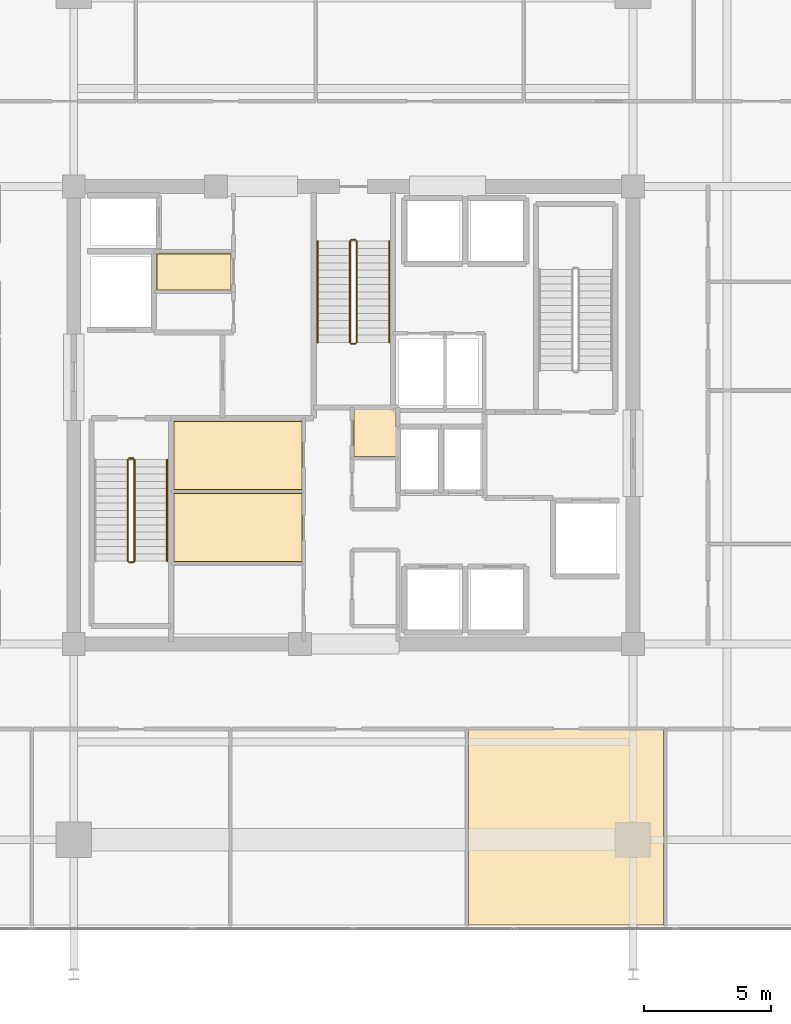
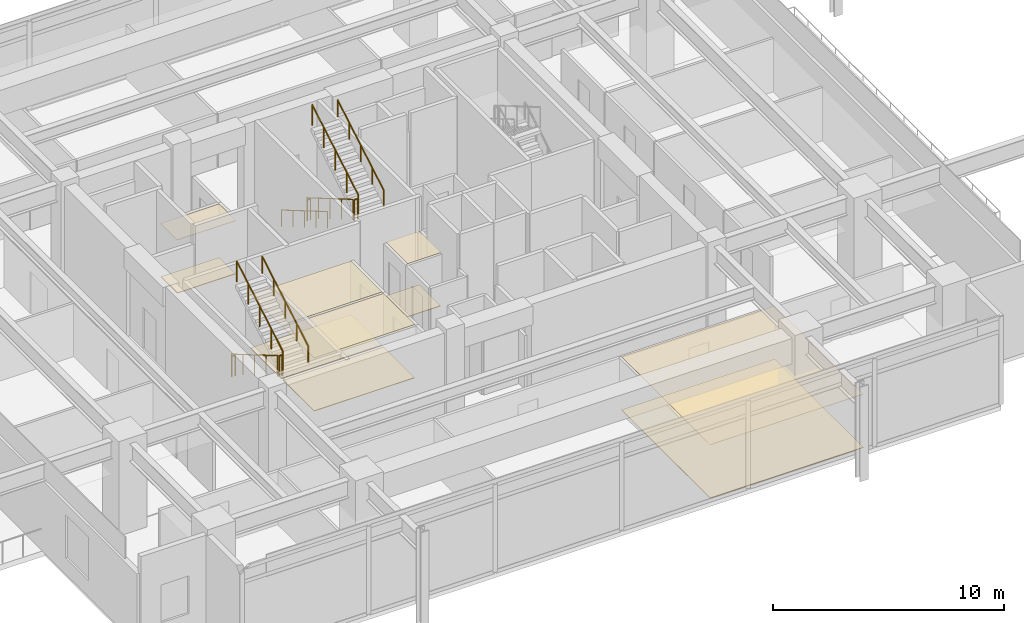
# One storey, part 17 of 19: 11 railings, 10 coverings.
"""IFC4 building model written with IfcOpenShell, lengths in metres."""

import ifcopenshell
import ifcopenshell.guid

model = None  # the IFC model being written
_history = None  # IfcOwnerHistory: only IFC2X3 demands one
_inside = {}  # id of a spatial element -> (the spatial element, [elements in it])
_under = {}  # id of a project, library or spatial element -> (it, [spatial elements below it])
_declared = {}  # id of a project -> (the project, [libraries it declares])
_typed = {}  # id of a type object -> (the type object, [elements of that type])
_made_of = {}  # id of a material, layer set ... -> (it, [elements and type objects made of it])


def new_model(schema):
    """Start an empty IFC model of exactly this schema.

    Asked for "IFC4X3", IfcOpenShell would pick the latest addendum, in which some entities
    have other attributes; the version numbers below select the first issue.
    IFC2X3 requires an IfcOwnerHistory on every rooted entity: one is made here for all.
    """
    global model, _history
    if schema == "IFC4X3":
        model = ifcopenshell.file(schema_version=(4, 3, 0, 0))
    else:
        model = ifcopenshell.file(schema=schema)
    _inside.clear()
    _under.clear()
    _declared.clear()
    _typed.clear()
    _made_of.clear()
    _history = None
    if model.schema == "IFC2X3":
        org = make("IfcOrganization", Name="unknown")
        user = make(
            "IfcPersonAndOrganization",
            ThePerson=make("IfcPerson", FamilyName="unknown"),
            TheOrganization=org,
        )
        app = make(
            "IfcApplication",
            ApplicationDeveloper=org,
            Version="unknown",
            ApplicationFullName="unknown",
            ApplicationIdentifier="unknown",
        )
        _history = make(
            "IfcOwnerHistory",
            OwningUser=user,
            OwningApplication=app,
            ChangeAction="ADDED",
            CreationDate=0,
        )
    return model


def make(cls, **values):
    """One entity of the class cls with the attributes given. An attribute that is None is left unset."""
    return model.create_entity(
        cls, **{name: value for name, value in values.items() if value is not None}
    )


def rooted(cls, **values):
    """An entity with a GlobalId (a new one), such as an element, a storey or a relation."""
    return make(cls, GlobalId=ifcopenshell.guid.new(), OwnerHistory=_history, **values)


def si_unit(unit_type, name, prefix=None):
    """IfcSIUnit, for example si_unit("LENGTHUNIT", "METRE", prefix="MILLI")."""
    return make("IfcSIUnit", UnitType=unit_type, Prefix=prefix, Name=name)


def assignment(units):
    """IfcUnitAssignment: the units of a project."""
    return None if units is None else make("IfcUnitAssignment", Units=units)


def point(xyz):
    """IfcCartesianPoint."""
    return None if xyz is None else make("IfcCartesianPoint", Coordinates=xyz)


def direction(xyz):
    """IfcDirection."""
    return None if xyz is None else make("IfcDirection", DirectionRatios=xyz)


def frame(location, z_axis=None, x_axis=None):
    """IfcAxis2Placement3D, a coordinate frame: its origin and axes. An axis left out is left unset."""
    return make(
        "IfcAxis2Placement3D",
        Location=point(location),
        Axis=direction(z_axis),
        RefDirection=direction(x_axis),
    )


def frame_2d(location, x_axis=None):
    """IfcAxis2Placement2D, a coordinate frame in the plane: its origin and x axis."""
    return make(
        "IfcAxis2Placement2D", Location=point(location), RefDirection=direction(x_axis)
    )


def origin():
    """The frame at (0, 0, 0) with its axes left unset."""
    return frame((0.0, 0.0, 0.0))


def origin_2d():
    """The frame at (0, 0) in the plane with its x axis left unset."""
    return frame_2d((0.0, 0.0))


def place(relative_to, where):
    """IfcLocalPlacement: puts the frame where relative to a parent placement (None: the world)."""
    return make(
        "IfcLocalPlacement", PlacementRelTo=relative_to, RelativePlacement=where
    )


def context(
    kind, dimensions, precision=None, world=None, true_north=None, identifier=None
):
    """IfcGeometricRepresentationContext, for example the 3D "Model" context."""
    return make(
        "IfcGeometricRepresentationContext",
        ContextIdentifier=identifier,
        ContextType=kind,
        CoordinateSpaceDimension=dimensions,
        Precision=precision,
        WorldCoordinateSystem=world,
        TrueNorth=true_north,
    )


def subcontext(parent, identifier, kind, view, scale=None):
    """IfcGeometricRepresentationSubContext, for example "Body" below "Model"."""
    return make(
        "IfcGeometricRepresentationSubContext",
        ContextIdentifier=identifier,
        ContextType=kind,
        ParentContext=parent,
        TargetScale=scale,
        TargetView=view,
    )


def project(units=None, contexts=None):
    """IfcProject with its units and contexts."""
    return rooted(
        "IfcProject",
        Name="project",
        RepresentationContexts=contexts,
        UnitsInContext=assignment(units),
    )


def spatial(cls, under=None, at=None, **own):
    """A site, building, storey or space (cls), placed at a placement, below another one or the project."""
    s = rooted(cls, ObjectPlacement=at, **own)
    if under is not None:
        _under.setdefault(under.id(), (under, []))[1].append(s)
    return s


def polyline(points):
    """IfcPolyline through the points."""
    return make("IfcPolyline", Points=[point(p) for p in points])


def profile(cls, at=None, kind="AREA", **sizes):
    """A parametric profile (cls). Its sizes go by their IFC names, for example OverallWidth=200.0."""
    return make(cls, ProfileType=kind, Position=at, **sizes)


def circle(**sizes):
    """IfcCircleProfileDef."""
    return profile("IfcCircleProfileDef", **sizes)


def outline(outer, holes=None, kind="AREA"):
    """IfcArbitraryClosedProfileDef: a profile drawn as a closed curve; with holes, ...WithVoids."""
    if holes is None:
        return make("IfcArbitraryClosedProfileDef", ProfileType=kind, OuterCurve=outer)
    return make(
        "IfcArbitraryProfileDefWithVoids",
        ProfileType=kind,
        OuterCurve=outer,
        InnerCurves=holes,
    )


def extrude(swept, where, along, depth):
    """IfcExtrudedAreaSolid: the profile swept, set in the frame where, extruded along a direction by depth."""
    return make(
        "IfcExtrudedAreaSolid",
        SweptArea=swept,
        Position=where,
        ExtrudedDirection=direction(along),
        Depth=depth,
    )


def shape(context_of_items, identifier, shape_type, items):
    """IfcShapeRepresentation: the items that make up one representation, for example the "Body"."""
    return make(
        "IfcShapeRepresentation",
        ContextOfItems=context_of_items,
        RepresentationIdentifier=identifier,
        RepresentationType=shape_type,
        Items=items,
    )


def material(Name=None, Category=None):
    """IfcMaterial."""
    return make("IfcMaterial", Name=Name, Category=Category)


def layer(
    of_material, thickness, ventilated=None, Name=None, Category=None, Priority=None
):
    """IfcMaterialLayer: one layer of a wall or slab, of a material (None: an air gap)."""
    return make(
        "IfcMaterialLayer",
        Material=of_material,
        LayerThickness=thickness,
        IsVentilated=ventilated,
        Name=Name,
        Category=Category,
        Priority=Priority,
    )


def layer_set(layers, Name=None):
    """IfcMaterialLayerSet."""
    return make("IfcMaterialLayerSet", MaterialLayers=layers, LayerSetName=Name)


def made_of(thing, what):
    """Note that an element or type object is made of a material, layer set ...; save() writes the relation."""
    if what is not None:
        _made_of.setdefault(what.id(), (what, []))[1].append(thing)
    return thing


def type_object(cls, material=None, **own):
    """A type object (cls), such as IfcWallType, which elements share."""
    return made_of(rooted(cls, **own), material)


def element(
    cls,
    number,
    at=None,
    inside=None,
    cuts=None,
    type_object=None,
    material=None,
    context=None,
    identifier="Body",
    shape_type=None,
    held_by="IfcProductDefinitionShape",
    body=None,
    shapes=None,
    **own,
):
    """One element of the class cls, such as IfcWall. Its Tag is "e" and its number.

    at: its placement. inside: the storey or other place that contains it. cuts: it is an
    opening in that element (IfcRelVoidsElement). A single representation is given by context,
    identifier, shape_type and body (its items); several are given by shapes. held_by: the class
    of the entity that holds the representations. save() writes the other relations.
    """
    e = rooted(cls, Tag="e%d" % number, ObjectPlacement=at, **own)
    if body is not None:
        shapes = [shape(context, identifier, shape_type, body)]
    if shapes is not None:
        e.Representation = make(held_by, Representations=shapes)
    if inside is not None:
        _inside.setdefault(inside.id(), (inside, []))[1].append(e)
    if cuts is not None:
        rooted(
            "IfcRelVoidsElement", RelatingBuildingElement=cuts, RelatedOpeningElement=e
        )
    if type_object is not None:
        _typed.setdefault(type_object.id(), (type_object, []))[1].append(e)
    return made_of(e, material)


def aggregate(whole, parts):
    """IfcRelAggregates: a whole, such as a stair, and the parts it consists of."""
    return rooted("IfcRelAggregates", RelatingObject=whole, RelatedObjects=parts)


def save(model, path):
    """Write the relations noted so far, then the file.

    IfcRelAggregates (storeys below a building ...), IfcRelContainedInSpatialStructure (elements
    in a storey), IfcRelDefinesByType, IfcRelAssociatesMaterial and IfcRelDeclares: one each for
    every whole, place, type object, material and project.
    """
    for whole, parts in _under.values():
        aggregate(whole, parts)
    for where, things in _inside.values():
        rooted(
            "IfcRelContainedInSpatialStructure",
            RelatedElements=things,
            RelatingStructure=where,
        )
    for kind, things in _typed.values():
        rooted("IfcRelDefinesByType", RelatedObjects=things, RelatingType=kind)
    for what, things in _made_of.values():
        rooted("IfcRelAssociatesMaterial", RelatedObjects=things, RelatingMaterial=what)
    for by, libraries in _declared.values():
        rooted("IfcRelDeclares", RelatingContext=by, RelatedDefinitions=libraries)
    model.write(path)


model = new_model("IFC4")

# Units and contexts
model_context = context("Model", 3, precision=1e-05, world=origin(), true_north=direction((0.0, 1.0)))
body_context = subcontext(model_context, "Body", "Model", "MODEL_VIEW")
ifc_project = project(units=[si_unit("LENGTHUNIT", "METRE"), si_unit("AREAUNIT", "SQUARE_METRE"), si_unit("VOLUMEUNIT", "CUBIC_METRE"), si_unit("PLANEANGLEUNIT", "RADIAN"), si_unit("MASSUNIT", "GRAM", prefix="KILO")], contexts=[model_context])

# Site, building, storey
site_placement = place(None, origin())
site = spatial("IfcSite", under=ifc_project, at=site_placement, CompositionType="ELEMENT")
building_placement = place(site_placement, origin())
building = spatial("IfcBuilding", under=site, at=building_placement, Name="Kovane Verandah Tower", CompositionType="ELEMENT")
storey_placement = place(building_placement, frame((0.0, 0.0, 184.39990234375)))
storey = spatial("IfcBuildingStorey", under=building, at=storey_placement, Name="L43", CompositionType="ELEMENT", Elevation=184.39990234375)

# Coverings
ifc_material_1 = material(Name="Perforated Acoustic Mineral-Fibre Ceiling Tile", Category="gypsum")
ifc_layer_1 = layer(ifc_material_1, 0.02490234375)
ifc_layer_set_1 = layer_set([ifc_layer_1], Name="Perforated Acoustic Mineral-Fibre Ceiling Tile")
covering_type_1 = type_object("IfcCoveringType", Name="CV-CEIL-25", PredefinedType="CEILING", material=ifc_layer_set_1)
covering_1_placement = place(storey_placement, frame((0.0, 0.0, 2.8251953125)))
element("IfcCovering", 1, at=covering_1_placement, inside=storey, type_object=covering_type_1, Name="L43 First Aid and Wellness Room Acoustic Ceiling", PredefinedType="CEILING", context=body_context, shape_type="SweptSolid", body=[
    extrude(outline(polyline([(32.93505859375, 21.72509765625), (37.9951171875, 21.72509765625), (37.9951171875, 24.43505859375), (32.93505859375, 24.43505859375), (32.93505859375, 21.72509765625)])), origin(), (0.0, 0.0, 1.0), 0.02490234375),
])
covering_2_placement = place(storey_placement, frame((0.0, 0.0, 2.8251953125)))
element("IfcCovering", 2, at=covering_2_placement, inside=storey, type_object=covering_type_1, Name="L43 Tea and Copy Hub Acoustic Ceiling", PredefinedType="CEILING", context=body_context, shape_type="SweptSolid", body=[
    extrude(outline(polyline([(32.93505859375, 24.56494140625), (37.9951171875, 24.56494140625), (37.9951171875, 27.264892578125), (32.93505859375, 27.264892578125), (32.93505859375, 24.56494140625)])), origin(), (0.0, 0.0, 1.0), 0.02490234375),
])
covering_3_placement = place(storey_placement, frame((0.0, 0.0, 2.8251953125)))
element("IfcCovering", 3, at=covering_3_placement, inside=storey, type_object=covering_type_1, Name="L43 North-West First Aid Room Acoustic Ceiling", PredefinedType="CEILING", context=body_context, shape_type="SweptSolid", body=[
    extrude(outline(polyline([(32.264892578125, 32.4150390625), (35.195068359375, 32.4150390625), (35.195068359375, 33.864990234375), (32.264892578125, 33.864990234375), (32.264892578125, 32.4150390625)])), origin(), (0.0, 0.0, 1.0), 0.02490234375),
])
covering_4_placement = place(storey_placement, frame((0.0, 0.0, 2.8251953125)))
element("IfcCovering", 4, at=covering_4_placement, inside=storey, type_object=covering_type_1, Name="L43 Central First Aid and Wellness Room Acoustic Ceiling", PredefinedType="CEILING", context=body_context, shape_type="SweptSolid", body=[
    extrude(outline(polyline([(40.0048828125, 25.864990234375), (41.695068359375, 25.864990234375), (41.695068359375, 27.735107421875), (40.0048828125, 27.735107421875), (40.0048828125, 25.864990234375)])), origin(), (0.0, 0.0, 1.0), 0.02490234375),
])
covering_5_placement = place(storey_placement, frame((0.0, 0.0, 2.8251953125)))
element("IfcCovering", 5, at=covering_5_placement, inside=storey, type_object=covering_type_1, Name="L43 Collaboration Hub S4 Acoustic Ceiling", PredefinedType="CEILING", context=body_context, shape_type="SweptSolid", body=[
    extrude(outline(polyline([(44.533935546875, 7.449951171875), (52.2060546875, 7.449951171875), (52.2060546875, 15.14990234375), (44.533935546875, 15.14990234375), (44.533935546875, 7.449951171875)])), origin(), (0.0, 0.0, 1.0), 0.02490234375),
])
ifc_material_2 = material(Name="Polished Terrazzo and Raised-Access Carpet Tile Finish", Category="concrete")
ifc_layer_2 = layer(ifc_material_2, 0.030029296875)
ifc_layer_set_2 = layer_set([ifc_layer_2], Name="Polished Terrazzo and Raised-Access Carpet Tile Finish")
covering_type_2 = type_object("IfcCoveringType", Name="CV-FLOR-30", PredefinedType="FLOORING", material=ifc_layer_set_2)
covering_6_placement = place(storey_placement, origin())
element("IfcCovering", 6, at=covering_6_placement, inside=storey, type_object=covering_type_2, Name="L43 First Aid and Wellness Room Floor Finish", PredefinedType="FLOORING", context=body_context, shape_type="SweptSolid", body=[
    extrude(outline(polyline([(32.949951171875, 21.739990234375), (37.97998046875, 21.739990234375), (37.97998046875, 24.419921875), (32.949951171875, 24.419921875), (32.949951171875, 21.739990234375)])), origin(), (0.0, 0.0, 1.0), 0.030029296875),
])
covering_7_placement = place(storey_placement, origin())
element("IfcCovering", 7, at=covering_7_placement, inside=storey, type_object=covering_type_2, Name="L43 Tea and Copy Hub Floor Finish", PredefinedType="FLOORING", context=body_context, shape_type="SweptSolid", body=[
    extrude(outline(polyline([(32.949951171875, 24.580078125), (37.97998046875, 24.580078125), (37.97998046875, 27.25), (32.949951171875, 27.25), (32.949951171875, 24.580078125)])), origin(), (0.0, 0.0, 1.0), 0.030029296875),
])
covering_8_placement = place(storey_placement, origin())
element("IfcCovering", 8, at=covering_8_placement, inside=storey, type_object=covering_type_2, Name="L43 North-West First Aid Room Floor Finish", PredefinedType="FLOORING", context=body_context, shape_type="SweptSolid", body=[
    extrude(outline(polyline([(32.280029296875, 32.429931640625), (35.179931640625, 32.429931640625), (35.179931640625, 33.85009765625), (32.280029296875, 33.85009765625), (32.280029296875, 32.429931640625)])), origin(), (0.0, 0.0, 1.0), 0.030029296875),
])
covering_9_placement = place(storey_placement, origin())
element("IfcCovering", 9, at=covering_9_placement, inside=storey, type_object=covering_type_2, Name="L43 Central First Aid and Wellness Room Floor Finish", PredefinedType="FLOORING", context=body_context, shape_type="SweptSolid", body=[
    extrude(outline(polyline([(40.02001953125, 25.8798828125), (41.679931640625, 25.8798828125), (41.679931640625, 27.719970703125), (40.02001953125, 27.719970703125), (40.02001953125, 25.8798828125)])), origin(), (0.0, 0.0, 1.0), 0.030029296875),
])
covering_10_placement = place(storey_placement, origin())
element("IfcCovering", 10, at=covering_10_placement, inside=storey, type_object=covering_type_2, Name="L43 Collaboration Hub S4 Floor Finish", PredefinedType="FLOORING", context=body_context, shape_type="SweptSolid", body=[
    extrude(outline(polyline([(44.533935546875, 7.449951171875), (52.2060546875, 7.449951171875), (52.2060546875, 15.14990234375), (44.533935546875, 15.14990234375), (44.533935546875, 7.449951171875)])), origin(), (0.0, 0.0, 1.0), 0.030029296875),
])

# Railings
ifc_material_3 = material(Name="Brushed Stainless Steel Handrail", Category="steel")
railing_type_1 = type_object("IfcRailingType", Name="RL-HAND-920", PredefinedType="HANDRAIL", material=ifc_material_3)
railing_1_placement = place(storey_placement, frame((32.669921875, 21.760009765625, 2.666748046875)))
element("IfcRailing", 11, at=railing_1_placement, inside=storey, type_object=railing_type_1, Name="L43 ST-01 stair handrail 2", PredefinedType="HANDRAIL", context=body_context, shape_type="SweptSolid", body=[
    extrude(circle(Radius=0.02392578125, at=origin_2d()), frame((0.0, 0.0, 0.8759765625), z_axis=(0.0, 0.863236243904, 0.504800145811), x_axis=(-1.0, 0.0, 0.0)), (0.0, 0.0, 1.0), 4.6220703125),
    extrude(circle(Radius=0.02099609375, at=origin_2d()), origin(), (0.0, 0.0, 1.0), 0.851806640625),
    extrude(circle(Radius=0.02099609375, at=origin_2d()), frame((0.0, 0.99755859375, 0.583251953125)), (0.0, 0.0, 1.0), 0.851806640625),
    extrude(circle(Radius=0.02099609375, at=origin_2d()), frame((0.0, 1.9951171875, 1.16650390625)), (0.0, 0.0, 1.0), 0.851806640625),
    extrude(circle(Radius=0.02099609375, at=origin_2d()), frame((0.0, 2.992431640625, 1.75)), (0.0, 0.0, 1.0), 0.851806640625),
    extrude(circle(Radius=0.02099609375, at=origin_2d()), frame((0.0, 3.989990234375, 2.333251953125)), (0.0, 0.0, 1.0), 0.851806640625),
])
railing_2_placement = place(storey_placement, frame((38.590087890625, 34.35009765625, 0.166748046875)))
element("IfcRailing", 12, at=railing_2_placement, inside=storey, type_object=railing_type_1, Name="L43 ST-03 stair handrail 1", PredefinedType="HANDRAIL", context=body_context, shape_type="SweptSolid", body=[
    extrude(circle(Radius=0.02392578125, at=origin_2d()), frame((0.0, 0.0, 0.8759765625), z_axis=(0.0, -0.863236243904, 0.504800145811), x_axis=(1.0, 0.0, 0.0)), (0.0, 0.0, 1.0), 4.6220703125),
    extrude(circle(Radius=0.02099609375, at=origin_2d()), origin(), (0.0, 0.0, 1.0), 0.851806640625),
    extrude(circle(Radius=0.02099609375, at=origin_2d()), frame((0.0, -0.99755859375, 0.583251953125)), (0.0, 0.0, 1.0), 0.851806640625),
    extrude(circle(Radius=0.02099609375, at=origin_2d()), frame((0.0, -1.9951171875, 1.16650390625)), (0.0, 0.0, 1.0), 0.851806640625),
    extrude(circle(Radius=0.02099609375, at=origin_2d()), frame((0.0, -2.992431640625, 1.75)), (0.0, 0.0, 1.0), 0.851806640625),
    extrude(circle(Radius=0.02099609375, at=origin_2d()), frame((0.0, -3.989990234375, 2.333251953125)), (0.0, 0.0, 1.0), 0.851806640625),
])
railing_3_placement = place(storey_placement, frame((41.409912109375, 30.360107421875, 2.666748046875)))
element("IfcRailing", 13, at=railing_3_placement, inside=storey, type_object=railing_type_1, Name="L43 ST-03 stair handrail 2", PredefinedType="HANDRAIL", context=body_context, shape_type="SweptSolid", body=[
    extrude(circle(Radius=0.02392578125, at=origin_2d()), frame((0.0, 0.0, 0.8759765625), z_axis=(0.0, 0.863236243904, 0.504800145811), x_axis=(-1.0, 0.0, 0.0)), (0.0, 0.0, 1.0), 4.6220703125),
    extrude(circle(Radius=0.02099609375, at=origin_2d()), origin(), (0.0, 0.0, 1.0), 0.851806640625),
    extrude(circle(Radius=0.02099609375, at=origin_2d()), frame((0.0, 0.99755859375, 0.583251953125)), (0.0, 0.0, 1.0), 0.851806640625),
    extrude(circle(Radius=0.02099609375, at=origin_2d()), frame((0.0, 1.9951171875, 1.16650390625)), (0.0, 0.0, 1.0), 0.851806640625),
    extrude(circle(Radius=0.02099609375, at=origin_2d()), frame((0.0, 2.992431640625, 1.75)), (0.0, 0.0, 1.0), 0.851806640625),
    extrude(circle(Radius=0.02099609375, at=origin_2d()), frame((0.0, 3.989990234375, 2.333251953125)), (0.0, 0.0, 1.0), 0.851806640625),
])
ifc_material_4 = material(Name="Painted Steel Stairwell Guardrail", Category="steel")
railing_type_2 = type_object("IfcRailingType", Name="RL-STGUARD-1120", PredefinedType="GUARDRAIL", material=ifc_material_4)
railing_4_placement = place(storey_placement, frame((31.1298828125, 25.75, 0.166748046875)))
element("IfcRailing", 14, at=railing_4_placement, inside=storey, type_object=railing_type_2, Name="L43 ST-01 stair guard 1", PredefinedType="GUARDRAIL", context=body_context, shape_type="SweptSolid", body=[
    extrude(circle(Radius=0.02392578125, at=origin_2d()), frame((0.0, 0.0, 1.076171875), z_axis=(0.0, -0.863236243904, 0.504800145811), x_axis=(1.0, 0.0, 0.0)), (0.0, 0.0, 1.0), 4.6220703125),
    extrude(circle(Radius=0.02099609375, at=origin_2d()), origin(), (0.0, 0.0, 1.0), 1.052001953125),
    extrude(circle(Radius=0.02099609375, at=origin_2d()), frame((0.0, -0.99755859375, 0.583251953125)), (0.0, 0.0, 1.0), 1.052001953125),
    extrude(circle(Radius=0.02099609375, at=origin_2d()), frame((0.0, -1.9951171875, 1.16650390625)), (0.0, 0.0, 1.0), 1.052001953125),
    extrude(circle(Radius=0.02099609375, at=origin_2d()), frame((0.0, -2.992431640625, 1.75)), (0.0, 0.0, 1.0), 1.052001953125),
    extrude(circle(Radius=0.02099609375, at=origin_2d()), frame((0.0, -3.989990234375, 2.333251953125)), (0.0, 0.0, 1.0), 1.052001953125),
])
railing_5_placement = place(storey_placement, frame((31.179931640625, 21.7099609375, 2.5)))
element("IfcRailing", 15, at=railing_5_placement, inside=storey, type_object=railing_type_2, Name="L43 ST-01 stair guard 2", PredefinedType="GUARDRAIL", context=body_context, shape_type="SweptSolid", body=[
    extrude(circle(Radius=0.02392578125, at=origin_2d()), frame((0.0, 0.0, 1.076171875), z_axis=(1.0, 0.0, 0.0), x_axis=(0.0, 1.0, 0.0)), (0.0, 0.0, 1.0), 0.16015625),
    extrude(circle(Radius=0.02099609375, at=origin_2d()), origin(), (0.0, 0.0, 1.0), 1.052001953125),
    extrude(circle(Radius=0.02099609375, at=origin_2d()), frame((0.16015625, 0.0, 0.0)), (0.0, 0.0, 1.0), 1.052001953125),
])
railing_6_placement = place(storey_placement, frame((31.389892578125, 21.760009765625, 2.666748046875)))
element("IfcRailing", 16, at=railing_6_placement, inside=storey, type_object=railing_type_2, Name="L43 ST-01 stair guard 3", PredefinedType="GUARDRAIL", context=body_context, shape_type="SweptSolid", body=[
    extrude(circle(Radius=0.02392578125, at=origin_2d()), frame((0.0, 0.0, 1.076171875), z_axis=(0.0, 0.863236243904, 0.504800145811), x_axis=(-1.0, 0.0, 0.0)), (0.0, 0.0, 1.0), 4.6220703125),
    extrude(circle(Radius=0.02099609375, at=origin_2d()), origin(), (0.0, 0.0, 1.0), 1.052001953125),
    extrude(circle(Radius=0.02099609375, at=origin_2d()), frame((0.0, 0.99755859375, 0.583251953125)), (0.0, 0.0, 1.0), 1.052001953125),
    extrude(circle(Radius=0.02099609375, at=origin_2d()), frame((0.0, 1.9951171875, 1.16650390625)), (0.0, 0.0, 1.0), 1.052001953125),
    extrude(circle(Radius=0.02099609375, at=origin_2d()), frame((0.0, 2.992431640625, 1.75)), (0.0, 0.0, 1.0), 1.052001953125),
    extrude(circle(Radius=0.02099609375, at=origin_2d()), frame((0.0, 3.989990234375, 2.333251953125)), (0.0, 0.0, 1.0), 1.052001953125),
])
railing_7_placement = place(storey_placement, frame((31.179931640625, 25.800048828125, 0.0)))
element("IfcRailing", 17, at=railing_7_placement, inside=storey, type_object=railing_type_2, Name="L43 ST-01 stair guard 4", PredefinedType="GUARDRAIL", context=body_context, shape_type="SweptSolid", body=[
    extrude(circle(Radius=0.02392578125, at=origin_2d()), frame((0.0, 0.0, 1.076171875), z_axis=(1.0, 0.0, 0.0), x_axis=(0.0, 1.0, 0.0)), (0.0, 0.0, 1.0), 0.16015625),
    extrude(circle(Radius=0.02099609375, at=origin_2d()), origin(), (0.0, 0.0, 1.0), 1.052001953125),
    extrude(circle(Radius=0.02099609375, at=origin_2d()), frame((0.16015625, 0.0, 0.0)), (0.0, 0.0, 1.0), 1.052001953125),
])
railing_8_placement = place(storey_placement, frame((39.8701171875, 34.35009765625, 0.166748046875)))
element("IfcRailing", 18, at=railing_8_placement, inside=storey, type_object=railing_type_2, Name="L43 ST-03 stair guard 1", PredefinedType="GUARDRAIL", context=body_context, shape_type="SweptSolid", body=[
    extrude(circle(Radius=0.02392578125, at=origin_2d()), frame((0.0, 0.0, 1.076171875), z_axis=(0.0, -0.863236243904, 0.504800145811), x_axis=(1.0, 0.0, 0.0)), (0.0, 0.0, 1.0), 4.6220703125),
    extrude(circle(Radius=0.02099609375, at=origin_2d()), origin(), (0.0, 0.0, 1.0), 1.052001953125),
    extrude(circle(Radius=0.02099609375, at=origin_2d()), frame((0.0, -0.99755859375, 0.583251953125)), (0.0, 0.0, 1.0), 1.052001953125),
    extrude(circle(Radius=0.02099609375, at=origin_2d()), frame((0.0, -1.9951171875, 1.16650390625)), (0.0, 0.0, 1.0), 1.052001953125),
    extrude(circle(Radius=0.02099609375, at=origin_2d()), frame((0.0, -2.992431640625, 1.75)), (0.0, 0.0, 1.0), 1.052001953125),
    extrude(circle(Radius=0.02099609375, at=origin_2d()), frame((0.0, -3.989990234375, 2.333251953125)), (0.0, 0.0, 1.0), 1.052001953125),
])
railing_9_placement = place(storey_placement, frame((39.919921875, 30.31005859375, 2.5)))
element("IfcRailing", 19, at=railing_9_placement, inside=storey, type_object=railing_type_2, Name="L43 ST-03 stair guard 2", PredefinedType="GUARDRAIL", context=body_context, shape_type="SweptSolid", body=[
    extrude(circle(Radius=0.02392578125, at=origin_2d()), frame((0.0, 0.0, 1.076171875), z_axis=(1.0, 0.0, 0.0), x_axis=(0.0, 1.0, 0.0)), (0.0, 0.0, 1.0), 0.16015625),
    extrude(circle(Radius=0.02099609375, at=origin_2d()), origin(), (0.0, 0.0, 1.0), 1.052001953125),
    extrude(circle(Radius=0.02099609375, at=origin_2d()), frame((0.16015625, 0.0, 0.0)), (0.0, 0.0, 1.0), 1.052001953125),
])
railing_10_placement = place(storey_placement, frame((40.1298828125, 30.360107421875, 2.666748046875)))
element("IfcRailing", 20, at=railing_10_placement, inside=storey, type_object=railing_type_2, Name="L43 ST-03 stair guard 3", PredefinedType="GUARDRAIL", context=body_context, shape_type="SweptSolid", body=[
    extrude(circle(Radius=0.02392578125, at=origin_2d()), frame((0.0, 0.0, 1.076171875), z_axis=(0.0, 0.863236243904, 0.504800145811), x_axis=(-1.0, 0.0, 0.0)), (0.0, 0.0, 1.0), 4.6220703125),
    extrude(circle(Radius=0.02099609375, at=origin_2d()), origin(), (0.0, 0.0, 1.0), 1.052001953125),
    extrude(circle(Radius=0.02099609375, at=origin_2d()), frame((0.0, 0.99755859375, 0.583251953125)), (0.0, 0.0, 1.0), 1.052001953125),
    extrude(circle(Radius=0.02099609375, at=origin_2d()), frame((0.0, 1.9951171875, 1.16650390625)), (0.0, 0.0, 1.0), 1.052001953125),
    extrude(circle(Radius=0.02099609375, at=origin_2d()), frame((0.0, 2.992431640625, 1.75)), (0.0, 0.0, 1.0), 1.052001953125),
    extrude(circle(Radius=0.02099609375, at=origin_2d()), frame((0.0, 3.989990234375, 2.333251953125)), (0.0, 0.0, 1.0), 1.052001953125),
])
railing_11_placement = place(storey_placement, frame((39.919921875, 34.39990234375, 0.0)))
element("IfcRailing", 21, at=railing_11_placement, inside=storey, type_object=railing_type_2, Name="L43 ST-03 stair guard 4", PredefinedType="GUARDRAIL", context=body_context, shape_type="SweptSolid", body=[
    extrude(circle(Radius=0.02392578125, at=origin_2d()), frame((0.0, 0.0, 1.076171875), z_axis=(1.0, 0.0, 0.0), x_axis=(0.0, 1.0, 0.0)), (0.0, 0.0, 1.0), 0.16015625),
    extrude(circle(Radius=0.02099609375, at=origin_2d()), origin(), (0.0, 0.0, 1.0), 1.052001953125),
    extrude(circle(Radius=0.02099609375, at=origin_2d()), frame((0.16015625, 0.0, 0.0)), (0.0, 0.0, 1.0), 1.052001953125),
])

save(model, "model.ifc")
